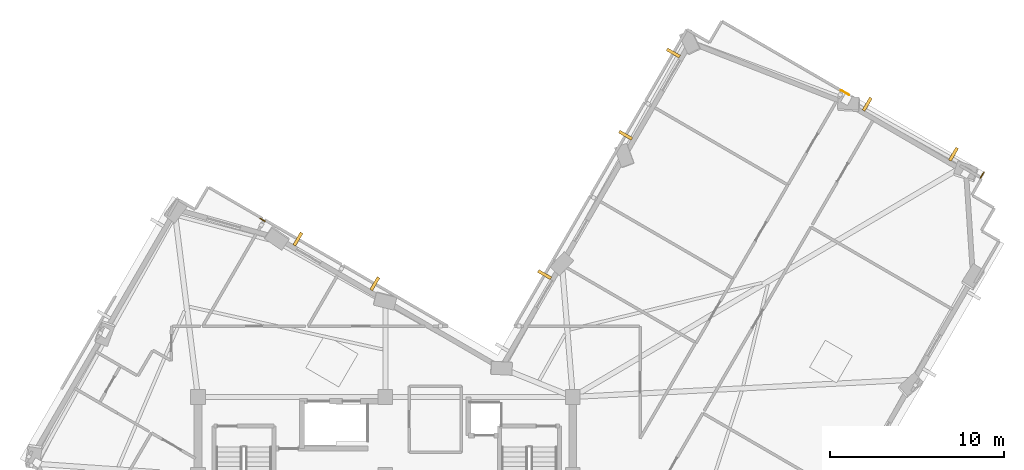
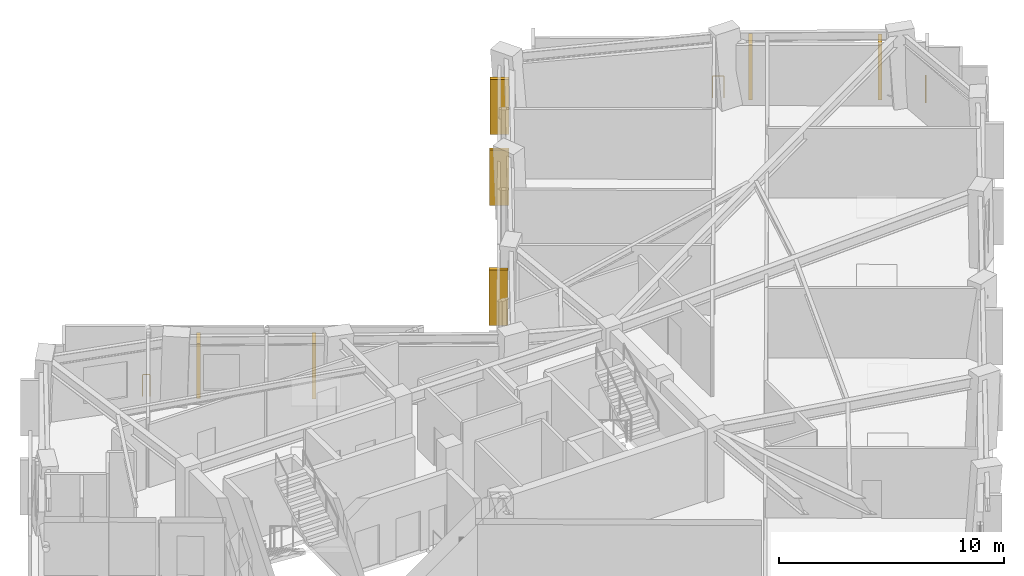
# One storey, part 12 of 12: 7 shading devices, 3 railings.
"""IFC4 building model written with IfcOpenShell, lengths in metres."""

from ifc_helpers import new_model, si_unit, direction, frame, origin, origin_2d, place, context, subcontext, project, spatial, rectangle, circle, extrude, material, layer, layer_set, type_object, element, save


model = new_model("IFC4")

# Units and contexts
model_context = context("Model", 3, precision=1e-05, world=origin(), true_north=direction((0.0, 1.0)))
body_context = subcontext(model_context, "Body", "Model", "MODEL_VIEW")
ifc_project = project(units=[si_unit("LENGTHUNIT", "METRE"), si_unit("AREAUNIT", "SQUARE_METRE"), si_unit("VOLUMEUNIT", "CUBIC_METRE"), si_unit("PLANEANGLEUNIT", "RADIAN"), si_unit("MASSUNIT", "GRAM", prefix="KILO")], contexts=[model_context])

# Site, building, storey
site_placement = place(None, origin())
site = spatial("IfcSite", under=ifc_project, at=site_placement, CompositionType="ELEMENT")
building_placement = place(site_placement, origin())
building = spatial("IfcBuilding", under=site, at=building_placement, Name="Gaonmaruhae Medical Tower", CompositionType="ELEMENT")
storey_placement = place(building_placement, frame((0.0, 0.0, 280.60009765625)))
storey = spatial("IfcBuildingStorey", under=building, at=storey_placement, Name="L67", CompositionType="ELEMENT", Elevation=280.60009765625)

# Railings
ifc_material_1 = material(Name="Stainless steel 316L and laminated safety glass", Category="steel")
ifc_layer = layer(ifc_material_1, 0.080078125)
ifc_layer_set = layer_set([ifc_layer], Name="Stainless steel 316L and laminated safety glass")
railing_type = type_object("IfcRailingType", Name="GD-120 Outdoor Terrace Safety Glass & Steel Balustrade", PredefinedType="BALUSTRADE", material=ifc_layer_set)
railing_1_placement = place(storey_placement, frame((17.575439453125, 27.088134765625, 0.0)))
element("IfcRailing", 1, at=railing_1_placement, inside=storey, type_object=railing_type, Name="L67 Perimeter Slab Edge Safety Balustrade 01", PredefinedType="BALUSTRADE", context=body_context, shape_type="SweptSolid", body=[
    extrude(circle(Radius=0.02392578125, at=origin_2d()), frame((0.0, 0.0, 1.17578125), z_axis=(0.864718280134, -0.502257201045, 0.0), x_axis=(0.502257201045, 0.864718280134, 0.0)), (0.0, 0.0, 1.0), 0.3388671875),
    extrude(circle(Radius=0.02099609375, at=origin_2d()), origin(), (0.0, 0.0, 1.0), 1.15185546875),
    extrude(circle(Radius=0.02099609375, at=origin_2d()), frame((0.29296875, -0.170166015625, 0.0)), (0.0, 0.0, 1.0), 1.15185546875),
])
railing_2_placement = place(storey_placement, frame((51.072021484375, 34.46142578125, 0.0)))
element("IfcRailing", 2, at=railing_2_placement, inside=storey, type_object=railing_type, Name="L67 Perimeter Slab Edge Safety Balustrade 02", PredefinedType="BALUSTRADE", context=body_context, shape_type="SweptSolid", body=[
    extrude(circle(Radius=0.02392578125, at=origin_2d()), frame((0.0, 0.0, 1.17578125), z_axis=(0.864736046466, -0.50222661214, 0.0), x_axis=(0.50222661214, 0.864736046466, 0.0)), (0.0, 0.0, 1.0), 0.517333984375),
    extrude(circle(Radius=0.02099609375, at=origin_2d()), origin(), (0.0, 0.0, 1.0), 1.15185546875),
    extrude(circle(Radius=0.02099609375, at=origin_2d()), frame((0.447265625, -0.259765625, 0.0)), (0.0, 0.0, 1.0), 1.15185546875),
])
railing_3_placement = place(storey_placement, frame((59.289794921875, 29.74609375, 0.0)))
element("IfcRailing", 3, at=railing_3_placement, inside=storey, type_object=railing_type, Name="L67 Perimeter Slab Edge Safety Balustrade 03", PredefinedType="BALUSTRADE", context=body_context, shape_type="SweptSolid", body=[
    extrude(circle(Radius=0.02392578125, at=origin_2d()), frame((0.0, 0.0, 1.17578125), z_axis=(-0.502210395489, -0.864745464667, 0.0), x_axis=(0.864745464667, -0.502210395489, 0.0)), (0.0, 0.0, 1.0), 0.393310546875),
    extrude(circle(Radius=0.02099609375, at=origin_2d()), origin(), (0.0, 0.0, 1.0), 1.15185546875),
    extrude(circle(Radius=0.02099609375, at=origin_2d()), frame((-0.197509765625, -0.340087890625, 0.0)), (0.0, 0.0, 1.0), 1.15185546875),
])

# Shading devices
ifc_material_2 = material(Name="Pigmented coral precast concrete C45/55", Category="concrete")
shading_device_type = type_object("IfcShadingDeviceType", Name="SD-FIN1 Tower Vertical Coral Precast Shading Fin", PredefinedType="USERDEFINED", material=ifc_material_2)
for number, where, z_axis, x_axis, name in (
    (4, (52.568359375, 33.66748046875, 0.13232421875), (0.0, 0.0, 1.0), (0.86471344052, -0.502265533143, 0.0), "L67 Vertical Coral Precast Shading Fin E01"),
    (5, (57.537353515625, 30.78125, 0.13232421875), (0.0, 0.0, 1.0), (0.86471344052, -0.502265533143, 0.0), "L67 Vertical Coral Precast Shading Fin E01B"),
    (6, (38.642333984375, 31.878173828125, 0.13232421875), (0.0, 0.0, 1.0), (0.502265533143, 0.86471344052, 0.0), "L67 Vertical Coral Precast Shading Fin E03"),
    (7, (41.394775390625, 36.61669921875, 0.13232421875), (0.0, 0.0, 1.0), (0.502265533143, 0.86471344052, 0.0), "L67 Vertical Coral Precast Shading Fin E03B"),
    (8, (33.9765625, 23.845458984375, 0.13232421875), (0.0, 0.0, 1.0), (0.502265533143, 0.86471344052, 0.0), "L67 Vertical Coral Precast Shading Fin EN02B"),
    (9, (19.763427734375, 25.892578125, 0.13232421875), (0.0, 0.0, 1.0), (0.86471344052, -0.502265533143, 0.0), "L67 Vertical Coral Precast Shading Fin NE01"),
    (10, (24.1943359375, 23.31884765625, 0.13232421875), (0.0, 0.0, 1.0), (0.86471344052, -0.502265533143, 0.0), "L67 Vertical Coral Precast Shading Fin NE01B"),
):
    element("IfcShadingDevice", number, at=place(storey_placement, frame(where, z_axis=z_axis, x_axis=x_axis)), inside=storey, type_object=shading_device_type, Name=name, ObjectType="FIN", PredefinedType="USERDEFINED", context=body_context, shape_type="SweptSolid", body=[
        extrude(rectangle(XDim=0.179931640625, YDim=0.85009765625, at=origin_2d()), origin(), (0.0, 0.0, 1.0), 3.0),
    ])

save(model, "model.ifc")
